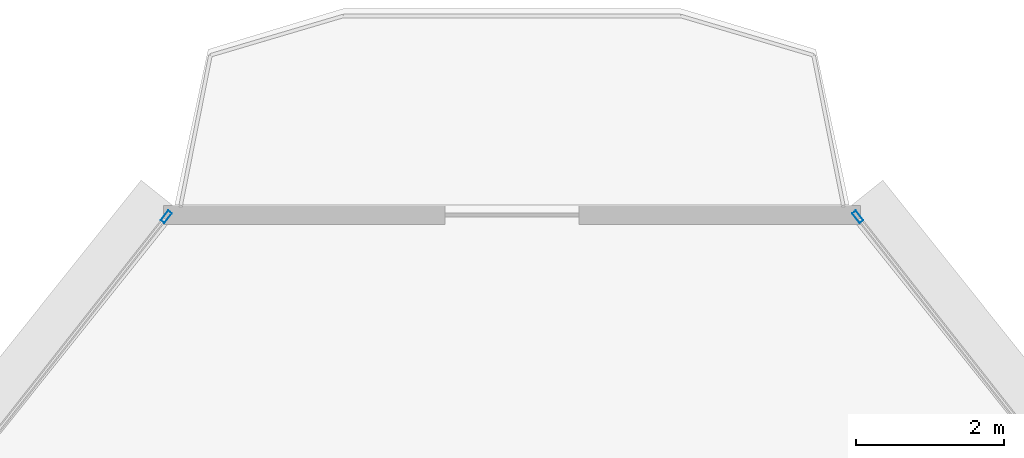
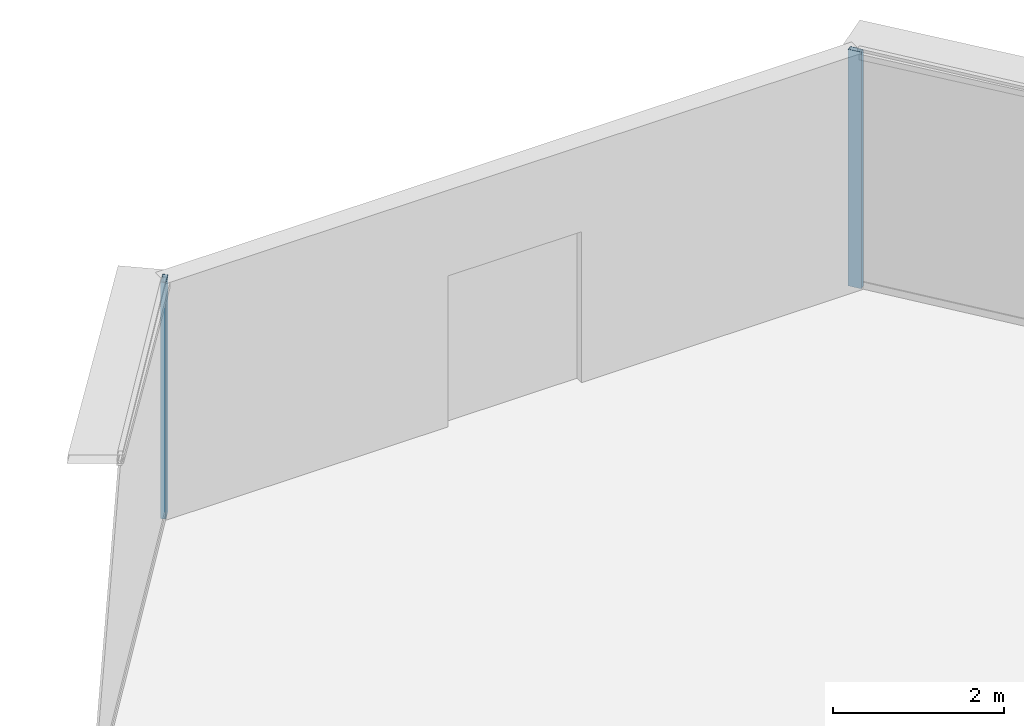
# One storey, part 27 of 41: 2 members, 2 elements without a shape of their own.
"""IFC4 building model written with IfcOpenShell, lengths in metres."""

from ifc_helpers import new_model, si_unit, direction, frame, origin, origin_2d, place, context, subcontext, project, spatial, hollow_rectangle, extrude, source, transform, mapped, material, layer, layer_set, material_profile, profile_set, type_object, element, aggregate, save


model = new_model("IFC4")

# Units and contexts
model_context = context("Model", 3, precision=1e-05, world=origin(), true_north=direction((0.0, 1.0)))
body_context = subcontext(model_context, "Body", "Model", "MODEL_VIEW")
ifc_project = project(units=[si_unit("LENGTHUNIT", "METRE"), si_unit("AREAUNIT", "SQUARE_METRE"), si_unit("VOLUMEUNIT", "CUBIC_METRE"), si_unit("PLANEANGLEUNIT", "RADIAN"), si_unit("MASSUNIT", "GRAM", prefix="KILO"), si_unit("THERMODYNAMICTEMPERATUREUNIT", "KELVIN"), si_unit("POWERUNIT", "WATT")], contexts=[model_context])

# Site, building, storey
site_placement = place(None, origin())
site = spatial("IfcSite", under=ifc_project, at=site_placement, CompositionType="ELEMENT")
building_placement = place(site_placement, origin())
building = spatial("IfcBuilding", under=site, at=building_placement, Name="Yunzhuo Pagoda Commons", CompositionType="ELEMENT")
storey_placement = place(building_placement, frame((0.0, 0.0, 63.070068359375)))
storey = spatial("IfcBuildingStorey", under=building, at=storey_placement, Name="L16", CompositionType="ELEMENT", Elevation=63.070068359375)

# Curtain wall, member
ifc_material = material(Name="Anodized aluminium 6063-T6", Category="aluminium")
ifc_layer = layer(ifc_material, 0.1650390625)
ifc_layer_set = layer_set([ifc_layer], Name="Anodized aluminium 6063-T6")
curtain_wall_type = type_object("IfcCurtainWallType", Name="CW-LOW Low-Zone Ribbon Curtain Wall", PredefinedType="NOTDEFINED", material=ifc_layer_set)
curtain_wall_1_placement = place(storey_placement, origin())
curtain_wall_1 = element("IfcCurtainWall", 1, at=curtain_wall_1_placement, inside=storey, type_object=curtain_wall_type, Name="L16 curtain wall CW-L16-F2B5", PredefinedType="NOTDEFINED")
ifc_material_profile = material_profile(ifc_material, hollow_rectangle(XDim=0.06494140625, YDim=0.1650390625, WallThickness=0.00390625, at=origin_2d()), Name="Anodized aluminium 6063-T6")
ifc_profile_set = profile_set([ifc_material_profile], Name="Anodized aluminium 6063-T6")
member_type = type_object("IfcMemberType", Name="CW-LOW-M Mullion RHS 165x65x4", PredefinedType="MULLION", material=ifc_profile_set)
shared_shape = source(origin(), body_context, "Body", "SweptSolid", [
    extrude(hollow_rectangle(XDim=0.06494140625, YDim=0.1650390625, WallThickness=0.00390625, at=origin_2d()), origin(), (0.0, 0.0, 1.0), 3.369873046875),
])
member_1_placement = place(storey_placement, frame((52.657958984375, 87.709716796875, 0.0), z_axis=(0.0, 0.0, 1.0), x_axis=(-0.78604582322, -0.618168232602, 0.0)))
member_1 = element("IfcMember", 2, at=member_1_placement, type_object=member_type, Name="CW mullion 2", PredefinedType="MULLION", context=body_context, shape_type="MappedRepresentation", body=[
    mapped(shared_shape, transform((0.0, 0.0, 0.0), scale=1.0)),
])
aggregate(curtain_wall_1, [member_1])

curtain_wall_2_placement = place(storey_placement, origin())
curtain_wall_2 = element("IfcCurtainWall", 3, at=curtain_wall_2_placement, inside=storey, type_object=curtain_wall_type, Name="L16 curtain wall CW-L16-F3B1", PredefinedType="NOTDEFINED")
member_2_placement = place(storey_placement, frame((43.342041015625, 87.709716796875, 0.0), z_axis=(0.0, 0.0, 1.0), x_axis=(0.78604582322, -0.618168232602, 0.0)))
member_2 = element("IfcMember", 4, at=member_2_placement, type_object=member_type, Name="CW mullion 1", PredefinedType="MULLION", context=body_context, shape_type="MappedRepresentation", body=[
    mapped(shared_shape, transform((0.0, 0.0, 0.0), scale=1.0)),
])
aggregate(curtain_wall_2, [member_2])

save(model, "model.ifc")
